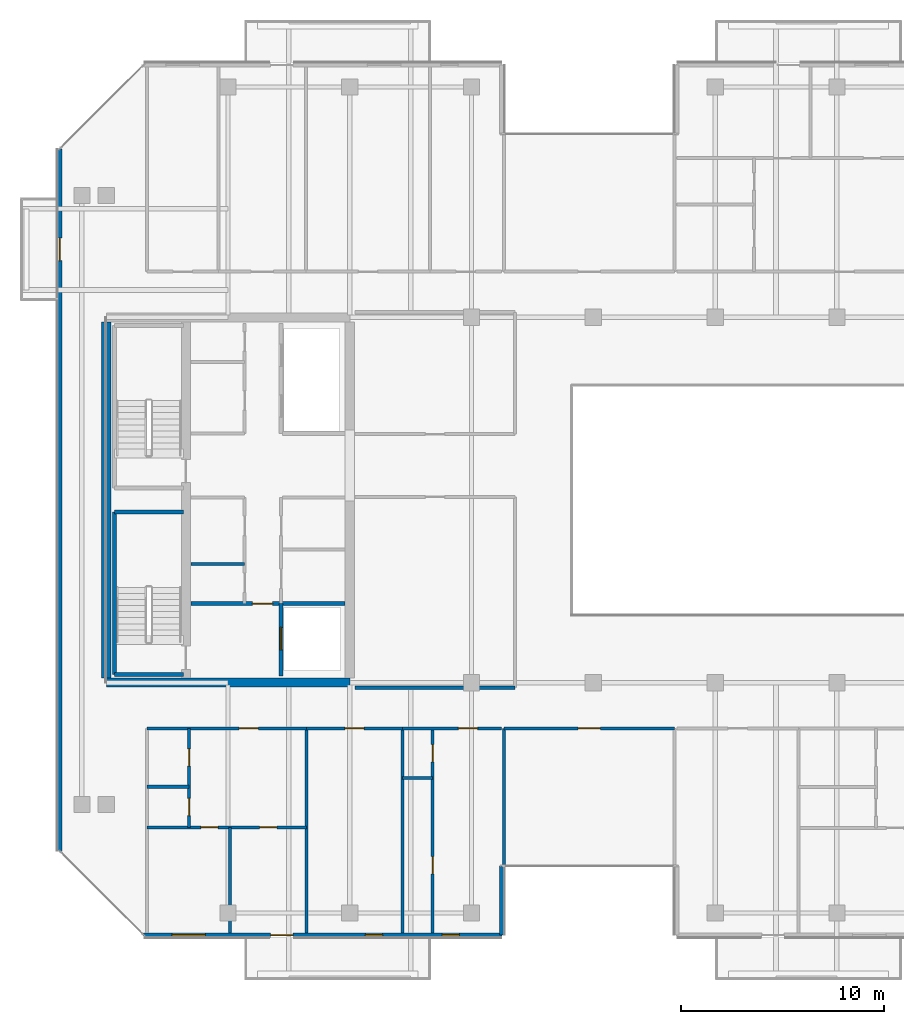
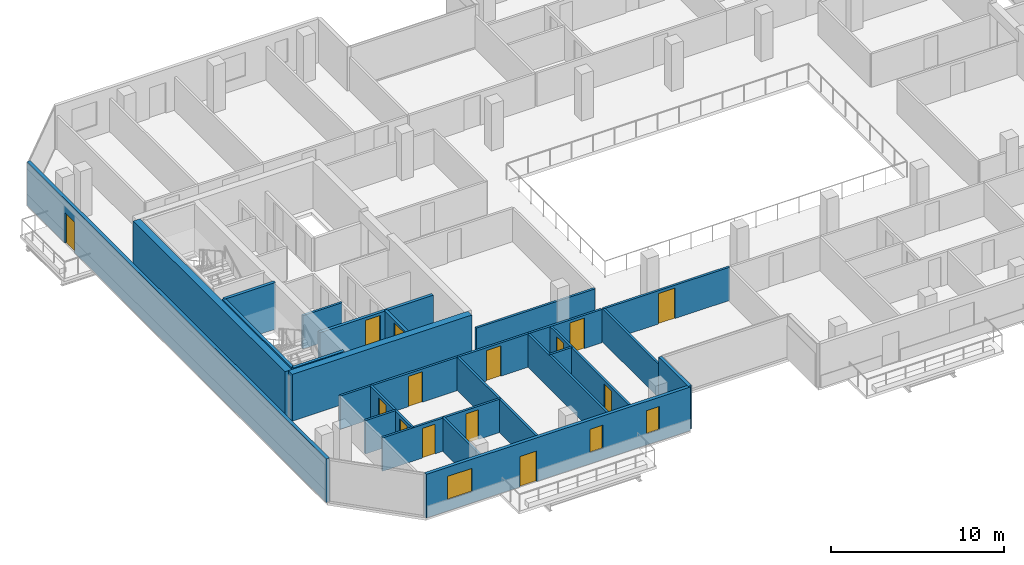
# One storey, part 18 of 29: 25 walls, 14 doors, 3 windows, 17 openings.
"""IFC4 building model written with IfcOpenShell, lengths in metres."""

import ifcopenshell
import ifcopenshell.guid

model = None  # the IFC model being written
_history = None  # IfcOwnerHistory: only IFC2X3 demands one
_inside = {}  # id of a spatial element -> (the spatial element, [elements in it])
_under = {}  # id of a project, library or spatial element -> (it, [spatial elements below it])
_declared = {}  # id of a project -> (the project, [libraries it declares])
_typed = {}  # id of a type object -> (the type object, [elements of that type])
_made_of = {}  # id of a material, layer set ... -> (it, [elements and type objects made of it])


def new_model(schema):
    """Start an empty IFC model of exactly this schema.

    Asked for "IFC4X3", IfcOpenShell would pick the latest addendum, in which some entities
    have other attributes; the version numbers below select the first issue.
    IFC2X3 requires an IfcOwnerHistory on every rooted entity: one is made here for all.
    """
    global model, _history
    if schema == "IFC4X3":
        model = ifcopenshell.file(schema_version=(4, 3, 0, 0))
    else:
        model = ifcopenshell.file(schema=schema)
    _inside.clear()
    _under.clear()
    _declared.clear()
    _typed.clear()
    _made_of.clear()
    _history = None
    if model.schema == "IFC2X3":
        org = make("IfcOrganization", Name="unknown")
        user = make(
            "IfcPersonAndOrganization",
            ThePerson=make("IfcPerson", FamilyName="unknown"),
            TheOrganization=org,
        )
        app = make(
            "IfcApplication",
            ApplicationDeveloper=org,
            Version="unknown",
            ApplicationFullName="unknown",
            ApplicationIdentifier="unknown",
        )
        _history = make(
            "IfcOwnerHistory",
            OwningUser=user,
            OwningApplication=app,
            ChangeAction="ADDED",
            CreationDate=0,
        )
    return model


def make(cls, **values):
    """One entity of the class cls with the attributes given. An attribute that is None is left unset."""
    return model.create_entity(
        cls, **{name: value for name, value in values.items() if value is not None}
    )


def rooted(cls, **values):
    """An entity with a GlobalId (a new one), such as an element, a storey or a relation."""
    return make(cls, GlobalId=ifcopenshell.guid.new(), OwnerHistory=_history, **values)


def si_unit(unit_type, name, prefix=None):
    """IfcSIUnit, for example si_unit("LENGTHUNIT", "METRE", prefix="MILLI")."""
    return make("IfcSIUnit", UnitType=unit_type, Prefix=prefix, Name=name)


def assignment(units):
    """IfcUnitAssignment: the units of a project."""
    return None if units is None else make("IfcUnitAssignment", Units=units)


def point(xyz):
    """IfcCartesianPoint."""
    return None if xyz is None else make("IfcCartesianPoint", Coordinates=xyz)


def direction(xyz):
    """IfcDirection."""
    return None if xyz is None else make("IfcDirection", DirectionRatios=xyz)


def frame(location, z_axis=None, x_axis=None):
    """IfcAxis2Placement3D, a coordinate frame: its origin and axes. An axis left out is left unset."""
    return make(
        "IfcAxis2Placement3D",
        Location=point(location),
        Axis=direction(z_axis),
        RefDirection=direction(x_axis),
    )


def frame_2d(location, x_axis=None):
    """IfcAxis2Placement2D, a coordinate frame in the plane: its origin and x axis."""
    return make(
        "IfcAxis2Placement2D", Location=point(location), RefDirection=direction(x_axis)
    )


def origin():
    """The frame at (0, 0, 0) with its axes left unset."""
    return frame((0.0, 0.0, 0.0))


def place(relative_to, where):
    """IfcLocalPlacement: puts the frame where relative to a parent placement (None: the world)."""
    return make(
        "IfcLocalPlacement", PlacementRelTo=relative_to, RelativePlacement=where
    )


def context(
    kind, dimensions, precision=None, world=None, true_north=None, identifier=None
):
    """IfcGeometricRepresentationContext, for example the 3D "Model" context."""
    return make(
        "IfcGeometricRepresentationContext",
        ContextIdentifier=identifier,
        ContextType=kind,
        CoordinateSpaceDimension=dimensions,
        Precision=precision,
        WorldCoordinateSystem=world,
        TrueNorth=true_north,
    )


def subcontext(parent, identifier, kind, view, scale=None):
    """IfcGeometricRepresentationSubContext, for example "Body" below "Model"."""
    return make(
        "IfcGeometricRepresentationSubContext",
        ContextIdentifier=identifier,
        ContextType=kind,
        ParentContext=parent,
        TargetScale=scale,
        TargetView=view,
    )


def project(units=None, contexts=None):
    """IfcProject with its units and contexts."""
    return rooted(
        "IfcProject",
        Name="project",
        RepresentationContexts=contexts,
        UnitsInContext=assignment(units),
    )


def spatial(cls, under=None, at=None, **own):
    """A site, building, storey or space (cls), placed at a placement, below another one or the project."""
    s = rooted(cls, ObjectPlacement=at, **own)
    if under is not None:
        _under.setdefault(under.id(), (under, []))[1].append(s)
    return s


def profile(cls, at=None, kind="AREA", **sizes):
    """A parametric profile (cls). Its sizes go by their IFC names, for example OverallWidth=200.0."""
    return make(cls, ProfileType=kind, Position=at, **sizes)


def rectangle(**sizes):
    """IfcRectangleProfileDef."""
    return profile("IfcRectangleProfileDef", **sizes)


def extrude(swept, where, along, depth):
    """IfcExtrudedAreaSolid: the profile swept, set in the frame where, extruded along a direction by depth."""
    return make(
        "IfcExtrudedAreaSolid",
        SweptArea=swept,
        Position=where,
        ExtrudedDirection=direction(along),
        Depth=depth,
    )


def shape(context_of_items, identifier, shape_type, items):
    """IfcShapeRepresentation: the items that make up one representation, for example the "Body"."""
    return make(
        "IfcShapeRepresentation",
        ContextOfItems=context_of_items,
        RepresentationIdentifier=identifier,
        RepresentationType=shape_type,
        Items=items,
    )


def material(Name=None, Category=None):
    """IfcMaterial."""
    return make("IfcMaterial", Name=Name, Category=Category)


def layer(
    of_material, thickness, ventilated=None, Name=None, Category=None, Priority=None
):
    """IfcMaterialLayer: one layer of a wall or slab, of a material (None: an air gap)."""
    return make(
        "IfcMaterialLayer",
        Material=of_material,
        LayerThickness=thickness,
        IsVentilated=ventilated,
        Name=Name,
        Category=Category,
        Priority=Priority,
    )


def layer_set(layers, Name=None):
    """IfcMaterialLayerSet."""
    return make("IfcMaterialLayerSet", MaterialLayers=layers, LayerSetName=Name)


def made_of(thing, what):
    """Note that an element or type object is made of a material, layer set ...; save() writes the relation."""
    if what is not None:
        _made_of.setdefault(what.id(), (what, []))[1].append(thing)
    return thing


def type_object(cls, material=None, **own):
    """A type object (cls), such as IfcWallType, which elements share."""
    return made_of(rooted(cls, **own), material)


def element(
    cls,
    number,
    at=None,
    inside=None,
    cuts=None,
    type_object=None,
    material=None,
    context=None,
    identifier="Body",
    shape_type=None,
    held_by="IfcProductDefinitionShape",
    body=None,
    shapes=None,
    **own,
):
    """One element of the class cls, such as IfcWall. Its Tag is "e" and its number.

    at: its placement. inside: the storey or other place that contains it. cuts: it is an
    opening in that element (IfcRelVoidsElement). A single representation is given by context,
    identifier, shape_type and body (its items); several are given by shapes. held_by: the class
    of the entity that holds the representations. save() writes the other relations.
    """
    e = rooted(cls, Tag="e%d" % number, ObjectPlacement=at, **own)
    if body is not None:
        shapes = [shape(context, identifier, shape_type, body)]
    if shapes is not None:
        e.Representation = make(held_by, Representations=shapes)
    if inside is not None:
        _inside.setdefault(inside.id(), (inside, []))[1].append(e)
    if cuts is not None:
        rooted(
            "IfcRelVoidsElement", RelatingBuildingElement=cuts, RelatedOpeningElement=e
        )
    if type_object is not None:
        _typed.setdefault(type_object.id(), (type_object, []))[1].append(e)
    return made_of(e, material)


def fill(opening, filler):
    """IfcRelFillsElement: the door or window that sits in an opening."""
    return rooted(
        "IfcRelFillsElement",
        RelatingOpeningElement=opening,
        RelatedBuildingElement=filler,
    )


def aggregate(whole, parts):
    """IfcRelAggregates: a whole, such as a stair, and the parts it consists of."""
    return rooted("IfcRelAggregates", RelatingObject=whole, RelatedObjects=parts)


def save(model, path):
    """Write the relations noted so far, then the file.

    IfcRelAggregates (storeys below a building ...), IfcRelContainedInSpatialStructure (elements
    in a storey), IfcRelDefinesByType, IfcRelAssociatesMaterial and IfcRelDeclares: one each for
    every whole, place, type object, material and project.
    """
    for whole, parts in _under.values():
        aggregate(whole, parts)
    for where, things in _inside.values():
        rooted(
            "IfcRelContainedInSpatialStructure",
            RelatedElements=things,
            RelatingStructure=where,
        )
    for kind, things in _typed.values():
        rooted("IfcRelDefinesByType", RelatedObjects=things, RelatingType=kind)
    for what, things in _made_of.values():
        rooted("IfcRelAssociatesMaterial", RelatedObjects=things, RelatingMaterial=what)
    for by, libraries in _declared.values():
        rooted("IfcRelDeclares", RelatingContext=by, RelatedDefinitions=libraries)
    model.write(path)


model = new_model("IFC4")

# Units and contexts
model_context = context("Model", 3, precision=1e-05, world=origin(), true_north=direction((0.0, 1.0)))
body_context = subcontext(model_context, "Body", "Model", "MODEL_VIEW")
ifc_project = project(units=[si_unit("LENGTHUNIT", "METRE"), si_unit("AREAUNIT", "SQUARE_METRE"), si_unit("VOLUMEUNIT", "CUBIC_METRE"), si_unit("PLANEANGLEUNIT", "RADIAN"), si_unit("MASSUNIT", "GRAM", prefix="KILO")], contexts=[model_context])

# Site, building, storey
site_placement = place(None, origin())
site = spatial("IfcSite", under=ifc_project, at=site_placement, CompositionType="ELEMENT")
building_placement = place(site_placement, origin())
building = spatial("IfcBuilding", under=site, at=building_placement, Name="Tanjung Sevakor Pilgrim Tower", CompositionType="ELEMENT")
storey_placement = place(building_placement, frame((0.0, 0.0, 181.830078125)))
storey = spatial("IfcBuildingStorey", under=building, at=storey_placement, Name="L50", CompositionType="ELEMENT", Elevation=181.830078125)

# Walls
ifc_material_1 = material(Name="Concrete C60/75", Category="concrete")
ifc_layer_1 = layer(ifc_material_1, 0.449951171875)
ifc_layer_set_1 = layer_set([ifc_layer_1], Name="WALL-CW-450")
wall_type_1 = type_object("IfcWallType", Name="WALL-CW-450", PredefinedType="SHEAR", material=ifc_layer_set_1)
wall_1_placement = place(storey_placement, frame((24.0, 24.60009765625, 0.0), z_axis=(0.0, 0.0, 1.0), x_axis=(1.0, 0.0, 0.0)))
element("IfcWall", 1, at=wall_1_placement, inside=storey, type_object=wall_type_1, Name="L50 W Core South Shear Wall", PredefinedType="SHEAR", context=body_context, shape_type="SweptSolid", body=[
    extrude(rectangle(XDim=12.0, YDim=0.449951171875, at=frame_2d((6.0, 0.0))), origin(), (0.0, 0.0, 1.0), 3.2998046875),
])
wall_2_placement = place(storey_placement, frame((24.0, 24.824951171875, 0.0), z_axis=(0.0, 0.0, 1.0), x_axis=(0.0, 1.0, 0.0)))
element("IfcWall", 2, at=wall_2_placement, inside=storey, type_object=wall_type_1, Name="L50 W Core Outer Shear Wall", PredefinedType="SHEAR", context=body_context, shape_type="SweptSolid", body=[
    extrude(rectangle(XDim=17.550048828125, YDim=0.449951171875, at=frame_2d((8.77490234375, 0.0))), origin(), (0.0, 0.0, 1.0), 3.2998046875),
])
ifc_material_2 = material(Name="Concrete C40/50", Category="concrete")
ifc_layer_2 = layer(ifc_material_2, 0.14990234375)
ifc_layer_set_2 = layer_set([ifc_layer_2], Name="WT-COMP-150")
wall_type_2 = type_object("IfcWallType", Name="WT-COMP-150", PredefinedType="SOLIDWALL", material=ifc_layer_set_2)
wall_3_placement = place(storey_placement, frame((28.169921875, 30.449951171875, 0.0), z_axis=(0.0, 0.0, 1.0), x_axis=(1.0, 0.0, 0.0)))
element("IfcWall", 3, at=wall_3_placement, inside=storey, type_object=wall_type_2, Name="L50 Partition IW-L50-003", PredefinedType="SOLIDWALL", context=body_context, shape_type="SweptSolid", body=[
    extrude(rectangle(XDim=2.630126953125, YDim=0.14990234375, at=frame_2d((1.31494140625, 0.0))), origin(), (0.0, 0.0, 1.0), 2.35009765625),
])
wall_4_placement = place(storey_placement, frame((36.2451171875, 24.35009765625, 0.0), z_axis=(0.0, 0.0, 1.0), x_axis=(1.0, 0.0, 0.0)))
element("IfcWall", 4, at=wall_4_placement, inside=storey, type_object=wall_type_2, Name="L50 Partition IW-L50-027", PredefinedType="SOLIDWALL", context=body_context, shape_type="SweptSolid", body=[
    extrude(rectangle(XDim=7.90478515625, YDim=0.14990234375, at=frame_2d((3.952392578125, 0.0))), origin(), (0.0, 0.0, 1.0), 2.35009765625),
])

# Wall, opening, door
wall_5_placement = place(storey_placement, frame((43.60009765625, 22.35009765625, 0.0), z_axis=(0.0, 0.0, 1.0), x_axis=(1.0, 0.0, 0.0)))
wall_5 = element("IfcWall", 5, at=wall_5_placement, inside=storey, type_object=wall_type_2, Name="L50 Partition IW-L50-039", PredefinedType="SOLIDWALL", context=body_context, shape_type="SweptSolid", body=[
    extrude(rectangle(XDim=8.39990234375, YDim=0.14990234375, at=frame_2d((4.199951171875, 0.0))), origin(), (0.0, 0.0, 1.0), 2.35009765625),
])
opening_1_placement = place(wall_5_placement, frame((3.64990234375, 0.0, 0.0)))
opening_1 = element("IfcOpeningElement", 6, at=opening_1_placement, cuts=wall_5, Name="Opening ID-RM2", PredefinedType="OPENING", context=body_context, shape_type="SweptSolid", body=[
    extrude(rectangle(XDim=1.10009765625, YDim=2.14990234375, at=frame_2d((0.550048828125, 1.074951171875))), frame((0.0, 0.0849609375, 0.0), z_axis=(0.0, -1.0, 0.0), x_axis=(1.0, 0.0, 0.0)), (0.0, 0.0, 1.0), 0.169921875),
])
ifc_material_3 = material(Name="Hardwood Timber", Category="wood")
door_type_1 = type_object("IfcDoorType", Name="DT-INT-1100", OperationType="NOTDEFINED", PredefinedType="DOOR", material=ifc_material_3)
door_1_placement = place(opening_1_placement, origin())
door_1 = element("IfcDoor", 7, at=door_1_placement, inside=storey, type_object=door_type_1, Name="L50 South Cleft Observatory Door", OperationType="SINGLE_SWING_LEFT", OverallHeight=2.14990234375, OverallWidth=1.10009765625, PredefinedType="DOOR", context=body_context, shape_type="SweptSolid", body=[
    extrude(rectangle(XDim=1.10009765625, YDim=2.14990234375, at=frame_2d((0.550048828125, 1.074951171875))), frame((0.0, 0.02490234375, 0.0), z_axis=(0.0, -1.0, 0.0), x_axis=(1.0, 0.0, 0.0)), (0.0, 0.0, 1.0), 0.050048828125),
])
fill(opening_1, door_1)

# Walls
for number, where, z_axis, x_axis, name in (
    (8, (43.60009765625, 12.27001953125, 0.0), (0.0, 0.0, 1.0), (0.0, 1.0, 0.0), "L50 Partition IW-L50-040"),
    (9, (33.87646484375, 12.27001953125, 0.0), (0.0, 0.0, 1.0), (0.0, 1.0, 0.0), "L50 Partition IW-L50-046"),
):
    element("IfcWall", number, at=place(storey_placement, frame(where, z_axis=z_axis, x_axis=x_axis)), inside=storey, type_object=wall_type_2, Name=name, PredefinedType="SOLIDWALL", context=body_context, shape_type="SweptSolid", body=[
        extrude(rectangle(XDim=10.080078125, YDim=0.14990234375, at=frame_2d((5.0400390625, 0.0))), origin(), (0.0, 0.0, 1.0), 2.35009765625),
    ])

# Wall, opening, door
wall_6_placement = place(storey_placement, frame((26.0, 22.35009765625, 0.0), z_axis=(0.0, 0.0, 1.0), x_axis=(1.0, 0.0, 0.0)))
wall_6 = element("IfcWall", 10, at=wall_6_placement, inside=storey, type_object=wall_type_2, Name="L50 Partition IW-L50-051", PredefinedType="SOLIDWALL", context=body_context, shape_type="SweptSolid", body=[
    extrude(rectangle(XDim=7.87646484375, YDim=0.14990234375, at=frame_2d((3.938232421875, 0.0))), origin(), (0.0, 0.0, 1.0), 2.35009765625),
])
opening_2_placement = place(wall_6_placement, frame((4.543212890625, 0.0, 0.0)))
opening_2 = element("IfcOpeningElement", 11, at=opening_2_placement, cuts=wall_6, Name="Opening ID-FD2", PredefinedType="OPENING", context=body_context, shape_type="SweptSolid", body=[
    extrude(rectangle(XDim=0.949951171875, YDim=2.14990234375, at=frame_2d((0.47509765625, 1.074951171875))), frame((0.0, 0.0849609375, 0.0), z_axis=(0.0, -1.0, 0.0), x_axis=(1.0, 0.0, 0.0)), (0.0, 0.0, 1.0), 0.169921875),
])
ifc_material_4 = material(Name="Fire-Rated Timber", Category="wood")
door_type_2 = type_object("IfcDoorType", Name="DT-FIRE-950", OperationType="NOTDEFINED", PredefinedType="DOOR", material=ifc_material_4)
door_2_placement = place(opening_2_placement, origin())
door_2 = element("IfcDoor", 12, at=door_2_placement, inside=storey, type_object=door_type_2, Name="Suite Entrance", OperationType="SINGLE_SWING_LEFT", OverallHeight=2.14990234375, OverallWidth=0.949951171875, PredefinedType="DOOR", context=body_context, shape_type="SweptSolid", body=[
    extrude(rectangle(XDim=0.949951171875, YDim=2.14990234375, at=frame_2d((0.47509765625, 1.074951171875))), frame((0.0, 0.02490234375, 0.0), z_axis=(0.0, -1.0, 0.0), x_axis=(1.0, 0.0, 0.0)), (0.0, 0.0, 1.0), 0.050048828125),
])
fill(opening_2, door_2)

# Wall
wall_7_placement = place(storey_placement, frame((38.593994140625, 12.27001953125, 0.0), z_axis=(0.0, 0.0, 1.0), x_axis=(0.0, 1.0, 0.0)))
element("IfcWall", 13, at=wall_7_placement, inside=storey, type_object=wall_type_2, Name="L50 Partition IW-L50-052", PredefinedType="SOLIDWALL", context=body_context, shape_type="SweptSolid", body=[
    extrude(rectangle(XDim=10.080078125, YDim=0.14990234375, at=frame_2d((5.0400390625, 0.0))), origin(), (0.0, 0.0, 1.0), 2.35009765625),
])

# Wall, opening, door
wall_8_placement = place(storey_placement, frame((33.87646484375, 22.35009765625, 0.0), z_axis=(0.0, 0.0, 1.0), x_axis=(1.0, 0.0, 0.0)))
wall_8 = element("IfcWall", 14, at=wall_8_placement, inside=storey, type_object=wall_type_2, Name="L50 Partition IW-L50-053", PredefinedType="SOLIDWALL", context=body_context, shape_type="SweptSolid", body=[
    extrude(rectangle(XDim=4.717529296875, YDim=0.14990234375, at=frame_2d((2.35888671875, 0.0))), origin(), (0.0, 0.0, 1.0), 2.35009765625),
])
opening_3_placement = place(wall_8_placement, frame((1.8837890625, 0.0, 0.0)))
opening_3 = element("IfcOpeningElement", 15, at=opening_3_placement, cuts=wall_8, Name="Opening ID-FD2", PredefinedType="OPENING", context=body_context, shape_type="SweptSolid", body=[
    extrude(rectangle(XDim=0.949951171875, YDim=2.14990234375, at=frame_2d((0.47509765625, 1.074951171875))), frame((0.0, 0.0849609375, 0.0), z_axis=(0.0, -1.0, 0.0), x_axis=(1.0, 0.0, 0.0)), (0.0, 0.0, 1.0), 0.169921875),
])
door_3_placement = place(opening_3_placement, origin())
door_3 = element("IfcDoor", 16, at=door_3_placement, inside=storey, type_object=door_type_2, Name="Study Room Entrance", OperationType="SINGLE_SWING_RIGHT", OverallHeight=2.14990234375, OverallWidth=0.949951171875, PredefinedType="DOOR", context=body_context, shape_type="SweptSolid", body=[
    extrude(rectangle(XDim=0.949951171875, YDim=2.14990234375, at=frame_2d((0.47509765625, 1.074951171875))), frame((0.0, 0.02490234375, 0.0), z_axis=(0.0, -1.0, 0.0), x_axis=(1.0, 0.0, 0.0)), (0.0, 0.0, 1.0), 0.050048828125),
])
fill(opening_3, door_3)

wall_9_placement = place(storey_placement, frame((38.593994140625, 22.35009765625, 0.0), z_axis=(0.0, 0.0, 1.0), x_axis=(1.0, 0.0, 0.0)))
wall_9 = element("IfcWall", 17, at=wall_9_placement, inside=storey, type_object=wall_type_2, Name="L50 Partition IW-L50-056", PredefinedType="SOLIDWALL", context=body_context, shape_type="SweptSolid", body=[
    extrude(rectangle(XDim=4.885986328125, YDim=0.14990234375, at=frame_2d((2.44287109375, 0.0))), origin(), (0.0, 0.0, 1.0), 2.35009765625),
])
opening_4_placement = place(wall_9_placement, frame((2.7509765625, 0.0, 0.0)))
opening_4 = element("IfcOpeningElement", 18, at=opening_4_placement, cuts=wall_9, Name="Opening ID-FD2", PredefinedType="OPENING", context=body_context, shape_type="SweptSolid", body=[
    extrude(rectangle(XDim=0.949951171875, YDim=2.14990234375, at=frame_2d((0.47509765625, 1.074951171875))), frame((0.0, 0.0849609375, 0.0), z_axis=(0.0, -1.0, 0.0), x_axis=(1.0, 0.0, 0.0)), (0.0, 0.0, 1.0), 0.169921875),
])
door_4_placement = place(opening_4_placement, origin())
door_4 = element("IfcDoor", 19, at=door_4_placement, inside=storey, type_object=door_type_2, Name="Hostel Quad Entrance", OperationType="SINGLE_SWING_LEFT", OverallHeight=2.14990234375, OverallWidth=0.949951171875, PredefinedType="DOOR", context=body_context, shape_type="SweptSolid", body=[
    extrude(rectangle(XDim=0.949951171875, YDim=2.14990234375, at=frame_2d((0.47509765625, 1.074951171875))), frame((0.0, 0.02490234375, 0.0), z_axis=(0.0, -1.0, 0.0), x_axis=(1.0, 0.0, 0.0)), (0.0, 0.0, 1.0), 0.050048828125),
])
fill(opening_4, door_4)

# Wall, openings, door, windows
ifc_material_5 = material(Name="Precast concrete C45/55", Category="concrete")
ifc_layer_3 = layer(ifc_material_5, 0.219970703125)
ifc_layer_set_3 = layer_set([ifc_layer_3], Name="WT-EW-STN4")
wall_type_3 = type_object("IfcWallType", Name="WT-EW-STN4", PredefinedType="SOLIDWALL", material=ifc_layer_set_3)
wall_10_placement = place(storey_placement, frame((25.845703125, 12.159912109375, 0.0), z_axis=(0.0, 0.0, 1.0), x_axis=(1.0, 0.0, 0.0)))
wall_10 = element("IfcWall", 20, at=wall_10_placement, inside=storey, type_object=wall_type_3, Name="L50 MAIN Exterior Wall 1", PredefinedType="SOLIDWALL", context=body_context, shape_type="SweptSolid", body=[
    extrude(rectangle(XDim=17.644287109375, YDim=0.219970703125, at=frame_2d((8.822265625, 0.0))), origin(), (0.0, 0.0, 1.0), 3.080078125),
])
opening_5_placement = place(wall_10_placement, frame((6.25439453125, 0.0, 0.0)))
opening_5 = element("IfcOpeningElement", 21, at=opening_5_placement, cuts=wall_10, Name="Opening ED-BAL-1100", PredefinedType="OPENING", context=body_context, shape_type="SweptSolid", body=[
    extrude(rectangle(XDim=1.10009765625, YDim=2.14990234375, at=frame_2d((0.550048828125, 1.074951171875))), frame((0.0, 0.119873046875, 0.0), z_axis=(0.0, -1.0, 0.0), x_axis=(1.0, 0.0, 0.0)), (0.0, 0.0, 1.0), 0.239990234375),
])
opening_6_placement = place(wall_10_placement, frame((1.38720703125, 0.0, 0.780029296875)))
opening_6 = element("IfcOpeningElement", 22, at=opening_6_placement, cuts=wall_10, Name="Opening WN-Z4-1660", PredefinedType="OPENING", context=body_context, shape_type="SweptSolid", body=[
    extrude(rectangle(XDim=1.64990234375, YDim=1.659912109375, at=frame_2d((0.824951171875, 0.830078125))), frame((0.0, 0.119873046875, 0.0), z_axis=(0.0, -1.0, 0.0), x_axis=(1.0, 0.0, 0.0)), (0.0, 0.0, 1.0), 0.239990234375),
])
opening_7_placement = place(wall_10_placement, frame((10.924560546875, 0.0, 0.780029296875)))
opening_7 = element("IfcOpeningElement", 23, at=opening_7_placement, cuts=wall_10, Name="Opening WN-SLM", PredefinedType="OPENING", context=body_context, shape_type="SweptSolid", body=[
    extrude(rectangle(XDim=0.85009765625, YDim=1.64990234375, at=frame_2d((0.425048828125, 0.824951171875))), frame((0.0, 0.119873046875, 0.0), z_axis=(0.0, -1.0, 0.0), x_axis=(1.0, 0.0, 0.0)), (0.0, 0.0, 1.0), 0.239990234375),
])
opening_8_placement = place(wall_10_placement, frame((14.699462890625, 0.0, 0.780029296875)))
opening_8 = element("IfcOpeningElement", 24, at=opening_8_placement, cuts=wall_10, Name="Opening WN-SLM", PredefinedType="OPENING", context=body_context, shape_type="SweptSolid", body=[
    extrude(rectangle(XDim=0.85009765625, YDim=1.64990234375, at=frame_2d((0.425048828125, 0.824951171875))), frame((0.0, 0.119873046875, 0.0), z_axis=(0.0, -1.0, 0.0), x_axis=(1.0, 0.0, 0.0)), (0.0, 0.0, 1.0), 0.239990234375),
])
ifc_material_6 = material(Name="Anodised Aluminium and Laminated Glass", Category="aluminium")
door_type_3 = type_object("IfcDoorType", Name="DTYP-ED-BAL-1100", OperationType="NOTDEFINED", PredefinedType="DOOR", material=ifc_material_6)
door_5_placement = place(opening_5_placement, frame((1.10009765625, 0.0, 0.0), z_axis=(0.0, 0.0, 1.0), x_axis=(-1.0, 0.0, 0.0)))
door_5 = element("IfcDoor", 25, at=door_5_placement, inside=storey, type_object=door_type_3, Name="L50 Balcony Door MAIN-S1", OperationType="SINGLE_SWING_LEFT", OverallHeight=2.14990234375, OverallWidth=1.10009765625, PredefinedType="DOOR", context=body_context, shape_type="SweptSolid", body=[
    extrude(rectangle(XDim=1.10009765625, YDim=2.14990234375, at=frame_2d((0.550048828125, 1.074951171875))), frame((0.0, 0.02490234375, 0.0), z_axis=(0.0, -1.0, 0.0), x_axis=(1.0, 0.0, 0.0)), (0.0, 0.0, 1.0), 0.050048828125),
])
fill(opening_5, door_5)
ifc_material_7 = material(Name="Thermally Broken Aluminium and Low-E Glass", Category="aluminium")
window_type_1 = type_object("IfcWindowType", Name="WTYP-WN-SLM", PartitioningType="SINGLE_PANEL", PredefinedType="WINDOW", material=ifc_material_7)
window_1_placement = place(opening_7_placement, origin())
window_1 = element("IfcWindow", 26, at=window_1_placement, inside=storey, type_object=window_type_1, Name="L50 Facade Window 02", OverallHeight=1.64990234375, OverallWidth=0.85009765625, PartitioningType="SINGLE_PANEL", PredefinedType="WINDOW", context=body_context, shape_type="SweptSolid", body=[
    extrude(rectangle(XDim=0.85009765625, YDim=1.64990234375, at=frame_2d((0.425048828125, 0.824951171875))), frame((0.0, 0.030029296875, 0.0), z_axis=(0.0, -1.0, 0.0), x_axis=(1.0, 0.0, 0.0)), (0.0, 0.0, 1.0), 0.06005859375),
])
fill(opening_7, window_1)
window_2_placement = place(opening_8_placement, origin())
window_2 = element("IfcWindow", 27, at=window_2_placement, inside=storey, type_object=window_type_1, Name="L50 Facade Window 03", OverallHeight=1.64990234375, OverallWidth=0.85009765625, PartitioningType="SINGLE_PANEL", PredefinedType="WINDOW", context=body_context, shape_type="SweptSolid", body=[
    extrude(rectangle(XDim=0.85009765625, YDim=1.64990234375, at=frame_2d((0.425048828125, 0.824951171875))), frame((0.0, 0.030029296875, 0.0), z_axis=(0.0, -1.0, 0.0), x_axis=(1.0, 0.0, 0.0)), (0.0, 0.0, 1.0), 0.06005859375),
])
fill(opening_8, window_2)
ifc_material_8 = material(Name="Thermally Broken Aluminium and Low-E Glass", Category="aluminium")
window_type_2 = type_object("IfcWindowType", Name="WTYP-WN-Z4-1660", PartitioningType="DOUBLE_PANEL_VERTICAL", PredefinedType="WINDOW", material=ifc_material_8)
window_3_placement = place(opening_6_placement, origin())
window_3 = element("IfcWindow", 28, at=window_3_placement, inside=storey, type_object=window_type_2, Name="L50 Facade Window 01", OverallHeight=1.659912109375, OverallWidth=1.64990234375, PartitioningType="SINGLE_PANEL", PredefinedType="WINDOW", context=body_context, shape_type="SweptSolid", body=[
    extrude(rectangle(XDim=1.64990234375, YDim=1.659912109375, at=frame_2d((0.824951171875, 0.830078125))), frame((0.0, 0.030029296875, 0.0), z_axis=(0.0, -1.0, 0.0), x_axis=(1.0, 0.0, 0.0)), (0.0, 0.0, 1.0), 0.06005859375),
])
fill(opening_6, window_3)

# Wall
wall_11_placement = place(storey_placement, frame((43.489990234375, 12.159912109375, 0.0), z_axis=(0.0, 0.0, 1.0), x_axis=(0.0, 1.0, 0.0)))
element("IfcWall", 29, at=wall_11_placement, inside=storey, type_object=wall_type_3, Name="L50 MAIN Exterior Wall 2", PredefinedType="SOLIDWALL", context=body_context, shape_type="SweptSolid", body=[
    extrude(rectangle(XDim=3.400146484375, YDim=0.219970703125, at=frame_2d((1.7001953125, 0.0))), origin(), (0.0, 0.0, 1.0), 3.080078125),
])

# Wall, opening, door
wall_12_placement = place(storey_placement, frame((21.7099609375, 50.904296875, 0.0), z_axis=(0.0, 0.0, 1.0), x_axis=(0.0, -1.0, 0.0)))
wall_12 = element("IfcWall", 30, at=wall_12_placement, inside=storey, type_object=wall_type_3, Name="L50 MAIN Exterior Wall 15", PredefinedType="SOLIDWALL", context=body_context, shape_type="SweptSolid", body=[
    extrude(rectangle(XDim=34.608642578125, YDim=0.219970703125, at=frame_2d((17.30419921875, 0.0))), origin(), (0.0, 0.0, 1.0), 3.080078125),
])
opening_9_placement = place(wall_12_placement, frame((4.404296875, 0.0, 0.0)))
opening_9 = element("IfcOpeningElement", 31, at=opening_9_placement, cuts=wall_12, Name="Opening ED-BAL-1100", PredefinedType="OPENING", context=body_context, shape_type="SweptSolid", body=[
    extrude(rectangle(XDim=1.10009765625, YDim=2.14990234375, at=frame_2d((0.550048828125, 1.074951171875))), frame((0.0, 0.119873046875, 0.0), z_axis=(0.0, -1.0, 0.0), x_axis=(1.0, 0.0, 0.0)), (0.0, 0.0, 1.0), 0.239990234375),
])
door_6_placement = place(opening_9_placement, frame((1.10009765625, 0.0, 0.0), z_axis=(0.0, 0.0, 1.0), x_axis=(-1.0, 0.0, 0.0)))
door_6 = element("IfcDoor", 32, at=door_6_placement, inside=storey, type_object=door_type_3, Name="L50 West Loggia Door MAIN-W1", OperationType="SINGLE_SWING_RIGHT", OverallHeight=2.14990234375, OverallWidth=1.10009765625, PredefinedType="DOOR", context=body_context, shape_type="SweptSolid", body=[
    extrude(rectangle(XDim=1.10009765625, YDim=2.14990234375, at=frame_2d((0.550048828125, 1.074951171875))), frame((0.0, 0.02490234375, 0.0), z_axis=(0.0, -1.0, 0.0), x_axis=(1.0, 0.0, 0.0)), (0.0, 0.0, 1.0), 0.050048828125),
])
fill(opening_9, door_6)

# Walls
ifc_material_9 = material(Name="Concrete C40/50", Category="concrete")
ifc_layer_4 = layer(ifc_material_9, 0.199951171875)
ifc_layer_set_4 = layer_set([ifc_layer_4], Name="WT-FIRE-200")
wall_type_4 = type_object("IfcWallType", Name="WT-FIRE-200", PredefinedType="SOLIDWALL", material=ifc_layer_set_4)
for number, where, z_axis, x_axis, name in (
    (33, (24.39990234375, 25.0, 0.0), (0.0, 0.0, 1.0), (1.0, 0.0, 0.0), "L50 TS-W1 Shaft Wall 1"),
    (34, (27.800048828125, 33.0, 0.0), (0.0, 0.0, 1.0), (-1.0, 0.0, 0.0), "L50 TS-W1 Shaft Wall 2"),
):
    element("IfcWall", number, at=place(storey_placement, frame(where, z_axis=z_axis, x_axis=x_axis)), inside=storey, type_object=wall_type_4, Name=name, PredefinedType="SOLIDWALL", context=body_context, shape_type="SweptSolid", body=[
        extrude(rectangle(XDim=3.400146484375, YDim=0.199951171875, at=frame_2d((1.7001953125, 0.0))), origin(), (0.0, 0.0, 1.0), 3.2998046875),
    ])
wall_13_placement = place(storey_placement, frame((24.39990234375, 33.0, 0.0), z_axis=(0.0, 0.0, 1.0), x_axis=(0.0, -1.0, 0.0)))
element("IfcWall", 35, at=wall_13_placement, inside=storey, type_object=wall_type_4, Name="L50 TS-W1 Shaft Wall 3", PredefinedType="SOLIDWALL", context=body_context, shape_type="SweptSolid", body=[
    extrude(rectangle(XDim=8.0, YDim=0.199951171875, at=frame_2d((4.0, 0.0))), origin(), (0.0, 0.0, 1.0), 3.2998046875),
])

# Wall, opening, door
ifc_material_10 = material(Name="Concrete C40/50", Category="concrete")
ifc_layer_5 = layer(ifc_material_10, 0.199951171875)
ifc_layer_set_5 = layer_set([ifc_layer_5], Name="WT-FPRT-200")
wall_type_5 = type_object("IfcWallType", Name="WT-FPRT-200", PredefinedType="SOLIDWALL", material=ifc_layer_set_5)
wall_14_placement = place(storey_placement, frame((32.60009765625, 24.919921875, 0.0), z_axis=(0.0, 0.0, 1.0), x_axis=(0.0, 1.0, 0.0)))
wall_14 = element("IfcWall", 36, at=wall_14_placement, inside=storey, type_object=wall_type_5, Name="L50 Partition IW-L50-001", PredefinedType="SOLIDWALL", context=body_context, shape_type="SweptSolid", body=[
    extrude(rectangle(XDim=3.580078125, YDim=0.199951171875, at=frame_2d((1.7900390625, 0.0))), origin(), (0.0, 0.0, 1.0), 2.35009765625),
])
opening_10_placement = place(wall_14_placement, frame((1.300048828125, 0.0, 0.0)))
opening_10 = element("IfcOpeningElement", 37, at=opening_10_placement, cuts=wall_14, Name="Opening LD-1100", PredefinedType="OPENING", context=body_context, shape_type="SweptSolid", body=[
    extrude(rectangle(XDim=1.10009765625, YDim=2.199951171875, at=frame_2d((0.550048828125, 1.10009765625))), frame((0.0, 0.10986328125, 0.0), z_axis=(0.0, -1.0, 0.0), x_axis=(1.0, 0.0, 0.0)), (0.0, 0.0, 1.0), 0.219970703125),
])
ifc_material_11 = material(Name="Brushed Stainless Steel S355J2", Category="steel")
door_type_4 = type_object("IfcDoorType", Name="DT-LIFT-1100", OperationType="SLIDING_TO_LEFT", PredefinedType="DOOR", material=ifc_material_11)
door_7_placement = place(opening_10_placement, origin())
door_7 = element("IfcDoor", 38, at=door_7_placement, inside=storey, type_object=door_type_4, Name="LD-FL-W", OperationType="SLIDING_TO_LEFT", OverallHeight=2.199951171875, OverallWidth=1.10009765625, PredefinedType="DOOR", context=body_context, shape_type="SweptSolid", body=[
    extrude(rectangle(XDim=1.10009765625, YDim=2.199951171875, at=frame_2d((0.550048828125, 1.10009765625))), frame((0.0, 0.02490234375, 0.0), z_axis=(0.0, -1.0, 0.0), x_axis=(1.0, 0.0, 0.0)), (0.0, 0.0, 1.0), 0.050048828125),
])
fill(opening_10, door_7)

wall_15_placement = place(storey_placement, frame((28.169921875, 28.5, 0.0), z_axis=(0.0, 0.0, 1.0), x_axis=(1.0, 0.0, 0.0)))
wall_15 = element("IfcWall", 39, at=wall_15_placement, inside=storey, type_object=wall_type_5, Name="L50 Partition IW-L50-002", PredefinedType="SOLIDWALL", context=body_context, shape_type="SweptSolid", body=[
    extrude(rectangle(XDim=7.5849609375, YDim=0.199951171875, at=frame_2d((3.79248046875, 0.0))), origin(), (0.0, 0.0, 1.0), 2.35009765625),
])
opening_11_placement = place(wall_15_placement, frame((3.030029296875, 0.0, 0.0)))
opening_11 = element("IfcOpeningElement", 40, at=opening_11_placement, cuts=wall_15, Name="Opening ID-FD1", PredefinedType="OPENING", context=body_context, shape_type="SweptSolid", body=[
    extrude(rectangle(XDim=1.0, YDim=2.14990234375, at=frame_2d((0.5, 1.074951171875))), frame((0.0, 0.10986328125, 0.0), z_axis=(0.0, -1.0, 0.0), x_axis=(1.0, 0.0, 0.0)), (0.0, 0.0, 1.0), 0.219970703125),
])
ifc_material_12 = material(Name="Fire-Rated Steel S355J2", Category="steel")
door_type_5 = type_object("IfcDoorType", Name="DT-FIRE-1000", OperationType="NOTDEFINED", PredefinedType="DOOR", material=ifc_material_12)
door_8_placement = place(opening_11_placement, origin())
door_8 = element("IfcDoor", 41, at=door_8_placement, inside=storey, type_object=door_type_5, Name="Fire Lobby Door W", OperationType="SINGLE_SWING_RIGHT", OverallHeight=2.14990234375, OverallWidth=1.0, PredefinedType="DOOR", context=body_context, shape_type="SweptSolid", body=[
    extrude(rectangle(XDim=1.0, YDim=2.14990234375, at=frame_2d((0.5, 1.074951171875))), frame((0.0, 0.02490234375, 0.0), z_axis=(0.0, -1.0, 0.0), x_axis=(1.0, 0.0, 0.0)), (0.0, 0.0, 1.0), 0.050048828125),
])
fill(opening_11, door_8)

# Wall
ifc_material_13 = material(Name="Gypsum Board Partition", Category="gypsum board")
ifc_layer_6 = layer(ifc_material_13, 0.14990234375)
ifc_layer_set_6 = layer_set([ifc_layer_6], Name="WT-PART-150")
wall_type_6 = type_object("IfcWallType", Name="WT-PART-150", PredefinedType="PARTITIONING", material=ifc_layer_set_6)
wall_16_placement = place(storey_placement, frame((26.0, 19.470703125, 0.0), z_axis=(0.0, 0.0, 1.0), x_axis=(1.0, 0.0, 0.0)))
element("IfcWall", 42, at=wall_16_placement, inside=storey, type_object=wall_type_6, Name="L50 Partition IW-L50-047", PredefinedType="PARTITIONING", context=body_context, shape_type="SweptSolid", body=[
    extrude(rectangle(XDim=2.080078125, YDim=0.14990234375, at=frame_2d((1.0400390625, 0.0))), origin(), (0.0, 0.0, 1.0), 2.35009765625),
])

# Wall, openings, doors
wall_17_placement = place(storey_placement, frame((28.080078125, 17.469970703125, 0.0), z_axis=(0.0, 0.0, 1.0), x_axis=(0.0, 1.0, 0.0)))
wall_17 = element("IfcWall", 43, at=wall_17_placement, inside=storey, type_object=wall_type_6, Name="L50 Partition IW-L50-048", PredefinedType="PARTITIONING", context=body_context, shape_type="SweptSolid", body=[
    extrude(rectangle(XDim=4.880126953125, YDim=0.14990234375, at=frame_2d((2.43994140625, 0.0))), origin(), (0.0, 0.0, 1.0), 2.35009765625),
])
opening_12_placement = place(wall_17_placement, frame((0.575439453125, 0.0, 0.0)))
opening_12 = element("IfcOpeningElement", 44, at=opening_12_placement, cuts=wall_17, Name="Opening ID-WC1", PredefinedType="OPENING", context=body_context, shape_type="SweptSolid", body=[
    extrude(rectangle(XDim=0.85009765625, YDim=2.10009765625, at=frame_2d((0.425048828125, 1.050048828125))), frame((0.0, 0.0849609375, 0.0), z_axis=(0.0, -1.0, 0.0), x_axis=(1.0, 0.0, 0.0)), (0.0, 0.0, 1.0), 0.169921875),
])
opening_13_placement = place(wall_17_placement, frame((3.015380859375, 0.0, 0.0)))
opening_13 = element("IfcOpeningElement", 45, at=opening_13_placement, cuts=wall_17, Name="Opening ID-WC1", PredefinedType="OPENING", context=body_context, shape_type="SweptSolid", body=[
    extrude(rectangle(XDim=0.85009765625, YDim=2.10009765625, at=frame_2d((0.425048828125, 1.050048828125))), frame((0.0, 0.0849609375, 0.0), z_axis=(0.0, -1.0, 0.0), x_axis=(1.0, 0.0, 0.0)), (0.0, 0.0, 1.0), 0.169921875),
])
ifc_material_14 = material(Name="Moisture-Resistant Timber", Category="wood")
door_type_6 = type_object("IfcDoorType", Name="DT-INT-850", OperationType="NOTDEFINED", PredefinedType="DOOR", material=ifc_material_14)
door_9_placement = place(opening_12_placement, origin())
door_9 = element("IfcDoor", 46, at=door_9_placement, inside=storey, type_object=door_type_6, Name="Suite Bathroom Door", OperationType="SINGLE_SWING_LEFT", OverallHeight=2.10009765625, OverallWidth=0.85009765625, PredefinedType="DOOR", context=body_context, shape_type="SweptSolid", body=[
    extrude(rectangle(XDim=0.85009765625, YDim=2.10009765625, at=frame_2d((0.425048828125, 1.050048828125))), frame((0.0, 0.02490234375, 0.0), z_axis=(0.0, -1.0, 0.0), x_axis=(1.0, 0.0, 0.0)), (0.0, 0.0, 1.0), 0.050048828125),
])
fill(opening_12, door_9)
door_10_placement = place(opening_13_placement, origin())
door_10 = element("IfcDoor", 47, at=door_10_placement, inside=storey, type_object=door_type_6, Name="Suite Kitchenette Door", OperationType="SINGLE_SWING_RIGHT", OverallHeight=2.10009765625, OverallWidth=0.85009765625, PredefinedType="DOOR", context=body_context, shape_type="SweptSolid", body=[
    extrude(rectangle(XDim=0.85009765625, YDim=2.10009765625, at=frame_2d((0.425048828125, 1.050048828125))), frame((0.0, 0.02490234375, 0.0), z_axis=(0.0, -1.0, 0.0), x_axis=(1.0, 0.0, 0.0)), (0.0, 0.0, 1.0), 0.050048828125),
])
fill(opening_13, door_10)

# Wall
wall_18_placement = place(storey_placement, frame((30.095703125, 12.27001953125, 0.0), z_axis=(0.0, 0.0, 1.0), x_axis=(0.0, 1.0, 0.0)))
element("IfcWall", 48, at=wall_18_placement, inside=storey, type_object=wall_type_6, Name="L50 Partition IW-L50-049", PredefinedType="PARTITIONING", context=body_context, shape_type="SweptSolid", body=[
    extrude(rectangle(XDim=5.199951171875, YDim=0.14990234375, at=frame_2d((2.60009765625, 0.0))), origin(), (0.0, 0.0, 1.0), 2.35009765625),
])

# Wall, openings, doors
wall_19_placement = place(storey_placement, frame((26.0, 17.469970703125, 0.0), z_axis=(0.0, 0.0, 1.0), x_axis=(1.0, 0.0, 0.0)))
wall_19 = element("IfcWall", 49, at=wall_19_placement, inside=storey, type_object=wall_type_6, Name="L50 Partition IW-L50-050", PredefinedType="PARTITIONING", context=body_context, shape_type="SweptSolid", body=[
    extrude(rectangle(XDim=7.87646484375, YDim=0.14990234375, at=frame_2d((3.938232421875, 0.0))), origin(), (0.0, 0.0, 1.0), 2.35009765625),
])
opening_14_placement = place(wall_19_placement, frame((2.662841796875, 0.0, 0.0)))
opening_14 = element("IfcOpeningElement", 50, at=opening_14_placement, cuts=wall_19, Name="Opening ID-WC1", PredefinedType="OPENING", context=body_context, shape_type="SweptSolid", body=[
    extrude(rectangle(XDim=0.85009765625, YDim=2.10009765625, at=frame_2d((0.425048828125, 1.050048828125))), frame((0.0, 0.0849609375, 0.0), z_axis=(0.0, -1.0, 0.0), x_axis=(1.0, 0.0, 0.0)), (0.0, 0.0, 1.0), 0.169921875),
])
opening_15_placement = place(wall_19_placement, frame((5.561279296875, 0.0, 0.0)))
opening_15 = element("IfcOpeningElement", 51, at=opening_15_placement, cuts=wall_19, Name="Opening ID-WC1", PredefinedType="OPENING", context=body_context, shape_type="SweptSolid", body=[
    extrude(rectangle(XDim=0.85009765625, YDim=2.10009765625, at=frame_2d((0.425048828125, 1.050048828125))), frame((0.0, 0.0849609375, 0.0), z_axis=(0.0, -1.0, 0.0), x_axis=(1.0, 0.0, 0.0)), (0.0, 0.0, 1.0), 0.169921875),
])
door_11_placement = place(opening_14_placement, origin())
door_11 = element("IfcDoor", 52, at=door_11_placement, inside=storey, type_object=door_type_6, Name="Suite Bedroom 1 Door", OperationType="SINGLE_SWING_LEFT", OverallHeight=2.10009765625, OverallWidth=0.85009765625, PredefinedType="DOOR", context=body_context, shape_type="SweptSolid", body=[
    extrude(rectangle(XDim=0.85009765625, YDim=2.10009765625, at=frame_2d((0.425048828125, 1.050048828125))), frame((0.0, 0.02490234375, 0.0), z_axis=(0.0, -1.0, 0.0), x_axis=(1.0, 0.0, 0.0)), (0.0, 0.0, 1.0), 0.050048828125),
])
fill(opening_14, door_11)
door_12_placement = place(opening_15_placement, origin())
door_12 = element("IfcDoor", 53, at=door_12_placement, inside=storey, type_object=door_type_6, Name="Suite Bedroom 2 Door", OperationType="SINGLE_SWING_RIGHT", OverallHeight=2.10009765625, OverallWidth=0.85009765625, PredefinedType="DOOR", context=body_context, shape_type="SweptSolid", body=[
    extrude(rectangle(XDim=0.85009765625, YDim=2.10009765625, at=frame_2d((0.425048828125, 1.050048828125))), frame((0.0, 0.02490234375, 0.0), z_axis=(0.0, -1.0, 0.0), x_axis=(1.0, 0.0, 0.0)), (0.0, 0.0, 1.0), 0.050048828125),
])
fill(opening_15, door_12)

# Wall
wall_20_placement = place(storey_placement, frame((38.593994140625, 19.89990234375, 0.0), z_axis=(0.0, 0.0, 1.0), x_axis=(1.0, 0.0, 0.0)))
element("IfcWall", 54, at=wall_20_placement, inside=storey, type_object=wall_type_6, Name="L50 Partition IW-L50-054", PredefinedType="PARTITIONING", context=body_context, shape_type="SweptSolid", body=[
    extrude(rectangle(XDim=1.486083984375, YDim=0.14990234375, at=frame_2d((0.7431640625, 0.0))), origin(), (0.0, 0.0, 1.0), 2.35009765625),
])

# Wall, openings, doors
wall_21_placement = place(storey_placement, frame((40.080078125, 12.27001953125, 0.0), z_axis=(0.0, 0.0, 1.0), x_axis=(0.0, 1.0, 0.0)))
wall_21 = element("IfcWall", 55, at=wall_21_placement, inside=storey, type_object=wall_type_6, Name="L50 Partition IW-L50-055", PredefinedType="PARTITIONING", context=body_context, shape_type="SweptSolid", body=[
    extrude(rectangle(XDim=10.080078125, YDim=0.14990234375, at=frame_2d((5.0400390625, 0.0))), origin(), (0.0, 0.0, 1.0), 2.35009765625),
])
opening_16_placement = place(wall_21_placement, frame((2.912109375, 0.0, 0.0)))
opening_16 = element("IfcOpeningElement", 56, at=opening_16_placement, cuts=wall_21, Name="Opening ID-WC1", PredefinedType="OPENING", context=body_context, shape_type="SweptSolid", body=[
    extrude(rectangle(XDim=0.85009765625, YDim=2.10009765625, at=frame_2d((0.425048828125, 1.050048828125))), frame((0.0, 0.0849609375, 0.0), z_axis=(0.0, -1.0, 0.0), x_axis=(1.0, 0.0, 0.0)), (0.0, 0.0, 1.0), 0.169921875),
])
opening_17_placement = place(wall_21_placement, frame((8.429931640625, 0.0, 0.0)))
opening_17 = element("IfcOpeningElement", 57, at=opening_17_placement, cuts=wall_21, Name="Opening ID-WC1", PredefinedType="OPENING", context=body_context, shape_type="SweptSolid", body=[
    extrude(rectangle(XDim=0.85009765625, YDim=2.10009765625, at=frame_2d((0.425048828125, 1.050048828125))), frame((0.0, 0.0849609375, 0.0), z_axis=(0.0, -1.0, 0.0), x_axis=(1.0, 0.0, 0.0)), (0.0, 0.0, 1.0), 0.169921875),
])
door_13_placement = place(opening_16_placement, origin())
door_13 = element("IfcDoor", 58, at=door_13_placement, inside=storey, type_object=door_type_6, Name="Study Nook Door", OperationType="SINGLE_SWING_LEFT", OverallHeight=2.10009765625, OverallWidth=0.85009765625, PredefinedType="DOOR", context=body_context, shape_type="SweptSolid", body=[
    extrude(rectangle(XDim=0.85009765625, YDim=2.10009765625, at=frame_2d((0.425048828125, 1.050048828125))), frame((0.0, 0.02490234375, 0.0), z_axis=(0.0, -1.0, 0.0), x_axis=(1.0, 0.0, 0.0)), (0.0, 0.0, 1.0), 0.050048828125),
])
fill(opening_16, door_13)
door_14_placement = place(opening_17_placement, origin())
door_14 = element("IfcDoor", 59, at=door_14_placement, inside=storey, type_object=door_type_6, Name="Bathroom Door", OperationType="SINGLE_SWING_RIGHT", OverallHeight=2.10009765625, OverallWidth=0.85009765625, PredefinedType="DOOR", context=body_context, shape_type="SweptSolid", body=[
    extrude(rectangle(XDim=0.85009765625, YDim=2.10009765625, at=frame_2d((0.425048828125, 1.050048828125))), frame((0.0, 0.02490234375, 0.0), z_axis=(0.0, -1.0, 0.0), x_axis=(1.0, 0.0, 0.0)), (0.0, 0.0, 1.0), 0.050048828125),
])
fill(opening_17, door_14)

save(model, "model.ifc")
